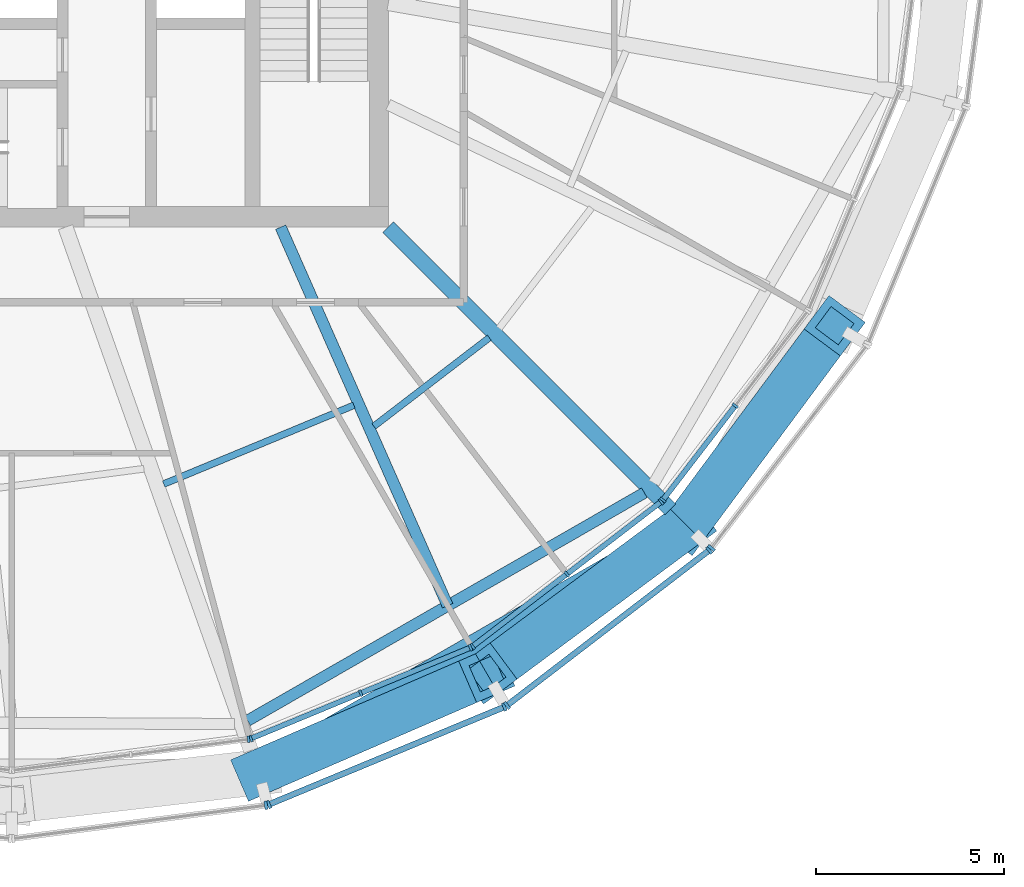
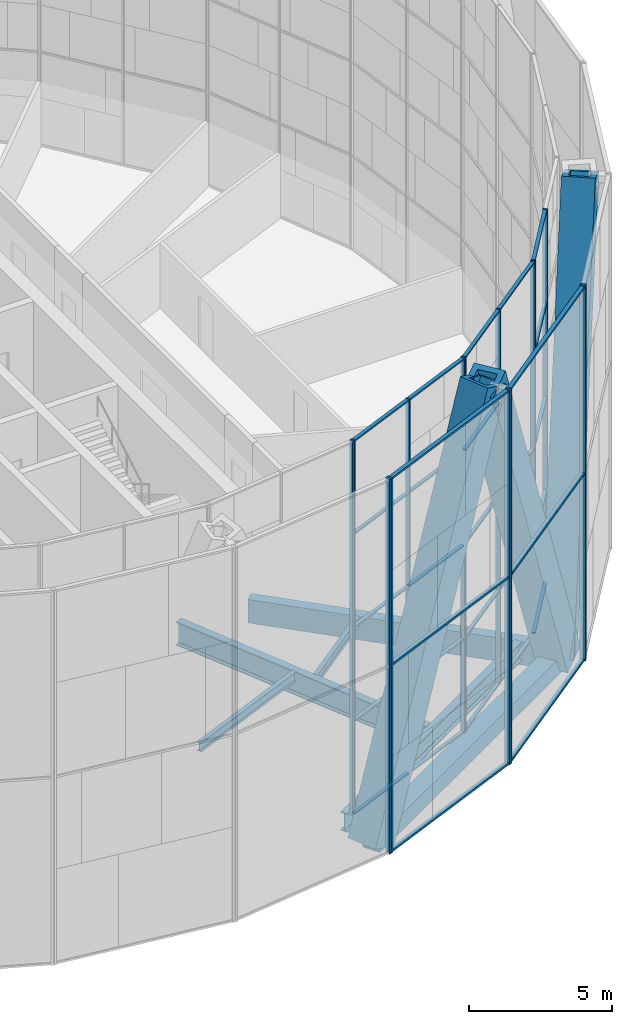
# One storey, part 5 of 28: 49 members, 6 beams, 8 elements without a shape of their own.
"""IFC4 building model written with IfcOpenShell, lengths in metres."""

import ifcopenshell
import ifcopenshell.guid

model = None  # the IFC model being written
_history = None  # IfcOwnerHistory: only IFC2X3 demands one
_inside = {}  # id of a spatial element -> (the spatial element, [elements in it])
_under = {}  # id of a project, library or spatial element -> (it, [spatial elements below it])
_declared = {}  # id of a project -> (the project, [libraries it declares])
_typed = {}  # id of a type object -> (the type object, [elements of that type])
_made_of = {}  # id of a material, layer set ... -> (it, [elements and type objects made of it])


def new_model(schema):
    """Start an empty IFC model of exactly this schema.

    Asked for "IFC4X3", IfcOpenShell would pick the latest addendum, in which some entities
    have other attributes; the version numbers below select the first issue.
    IFC2X3 requires an IfcOwnerHistory on every rooted entity: one is made here for all.
    """
    global model, _history
    if schema == "IFC4X3":
        model = ifcopenshell.file(schema_version=(4, 3, 0, 0))
    else:
        model = ifcopenshell.file(schema=schema)
    _inside.clear()
    _under.clear()
    _declared.clear()
    _typed.clear()
    _made_of.clear()
    _history = None
    if model.schema == "IFC2X3":
        org = make("IfcOrganization", Name="unknown")
        user = make(
            "IfcPersonAndOrganization",
            ThePerson=make("IfcPerson", FamilyName="unknown"),
            TheOrganization=org,
        )
        app = make(
            "IfcApplication",
            ApplicationDeveloper=org,
            Version="unknown",
            ApplicationFullName="unknown",
            ApplicationIdentifier="unknown",
        )
        _history = make(
            "IfcOwnerHistory",
            OwningUser=user,
            OwningApplication=app,
            ChangeAction="ADDED",
            CreationDate=0,
        )
    return model


def make(cls, **values):
    """One entity of the class cls with the attributes given. An attribute that is None is left unset."""
    return model.create_entity(
        cls, **{name: value for name, value in values.items() if value is not None}
    )


def rooted(cls, **values):
    """An entity with a GlobalId (a new one), such as an element, a storey or a relation."""
    return make(cls, GlobalId=ifcopenshell.guid.new(), OwnerHistory=_history, **values)


def si_unit(unit_type, name, prefix=None):
    """IfcSIUnit, for example si_unit("LENGTHUNIT", "METRE", prefix="MILLI")."""
    return make("IfcSIUnit", UnitType=unit_type, Prefix=prefix, Name=name)


def assignment(units):
    """IfcUnitAssignment: the units of a project."""
    return None if units is None else make("IfcUnitAssignment", Units=units)


def point(xyz):
    """IfcCartesianPoint."""
    return None if xyz is None else make("IfcCartesianPoint", Coordinates=xyz)


def direction(xyz):
    """IfcDirection."""
    return None if xyz is None else make("IfcDirection", DirectionRatios=xyz)


def frame(location, z_axis=None, x_axis=None):
    """IfcAxis2Placement3D, a coordinate frame: its origin and axes. An axis left out is left unset."""
    return make(
        "IfcAxis2Placement3D",
        Location=point(location),
        Axis=direction(z_axis),
        RefDirection=direction(x_axis),
    )


def frame_2d(location, x_axis=None):
    """IfcAxis2Placement2D, a coordinate frame in the plane: its origin and x axis."""
    return make(
        "IfcAxis2Placement2D", Location=point(location), RefDirection=direction(x_axis)
    )


def origin():
    """The frame at (0, 0, 0) with its axes left unset."""
    return frame((0.0, 0.0, 0.0))


def origin_2d():
    """The frame at (0, 0) in the plane with its x axis left unset."""
    return frame_2d((0.0, 0.0))


def place(relative_to, where):
    """IfcLocalPlacement: puts the frame where relative to a parent placement (None: the world)."""
    return make(
        "IfcLocalPlacement", PlacementRelTo=relative_to, RelativePlacement=where
    )


def context(
    kind, dimensions, precision=None, world=None, true_north=None, identifier=None
):
    """IfcGeometricRepresentationContext, for example the 3D "Model" context."""
    return make(
        "IfcGeometricRepresentationContext",
        ContextIdentifier=identifier,
        ContextType=kind,
        CoordinateSpaceDimension=dimensions,
        Precision=precision,
        WorldCoordinateSystem=world,
        TrueNorth=true_north,
    )


def subcontext(parent, identifier, kind, view, scale=None):
    """IfcGeometricRepresentationSubContext, for example "Body" below "Model"."""
    return make(
        "IfcGeometricRepresentationSubContext",
        ContextIdentifier=identifier,
        ContextType=kind,
        ParentContext=parent,
        TargetScale=scale,
        TargetView=view,
    )


def project(units=None, contexts=None):
    """IfcProject with its units and contexts."""
    return rooted(
        "IfcProject",
        Name="project",
        RepresentationContexts=contexts,
        UnitsInContext=assignment(units),
    )


def spatial(cls, under=None, at=None, **own):
    """A site, building, storey or space (cls), placed at a placement, below another one or the project."""
    s = rooted(cls, ObjectPlacement=at, **own)
    if under is not None:
        _under.setdefault(under.id(), (under, []))[1].append(s)
    return s


def profile(cls, at=None, kind="AREA", **sizes):
    """A parametric profile (cls). Its sizes go by their IFC names, for example OverallWidth=200.0."""
    return make(cls, ProfileType=kind, Position=at, **sizes)


def rectangle(**sizes):
    """IfcRectangleProfileDef."""
    return profile("IfcRectangleProfileDef", **sizes)


def hollow_rectangle(**sizes):
    """IfcRectangleHollowProfileDef."""
    return profile("IfcRectangleHollowProfileDef", **sizes)


def i_section(**sizes):
    """IfcIShapeProfileDef."""
    return profile("IfcIShapeProfileDef", **sizes)


def extrude(swept, where, along, depth):
    """IfcExtrudedAreaSolid: the profile swept, set in the frame where, extruded along a direction by depth."""
    return make(
        "IfcExtrudedAreaSolid",
        SweptArea=swept,
        Position=where,
        ExtrudedDirection=direction(along),
        Depth=depth,
    )


def shape(context_of_items, identifier, shape_type, items):
    """IfcShapeRepresentation: the items that make up one representation, for example the "Body"."""
    return make(
        "IfcShapeRepresentation",
        ContextOfItems=context_of_items,
        RepresentationIdentifier=identifier,
        RepresentationType=shape_type,
        Items=items,
    )


def material(Name=None, Category=None):
    """IfcMaterial."""
    return make("IfcMaterial", Name=Name, Category=Category)


def material_profile(
    of_material, cross_section, Name=None, Category=None, Priority=None
):
    """IfcMaterialProfile: a cross section and its material."""
    return make(
        "IfcMaterialProfile",
        Name=Name,
        Material=of_material,
        Profile=cross_section,
        Priority=Priority,
        Category=Category,
    )


def profile_set(profiles, Name=None, composite=None):
    """IfcMaterialProfileSet."""
    return make(
        "IfcMaterialProfileSet",
        Name=Name,
        MaterialProfiles=profiles,
        CompositeProfile=composite,
    )


def made_of(thing, what):
    """Note that an element or type object is made of a material, layer set ...; save() writes the relation."""
    if what is not None:
        _made_of.setdefault(what.id(), (what, []))[1].append(thing)
    return thing


def type_object(cls, material=None, **own):
    """A type object (cls), such as IfcWallType, which elements share."""
    return made_of(rooted(cls, **own), material)


def element(
    cls,
    number,
    at=None,
    inside=None,
    cuts=None,
    type_object=None,
    material=None,
    context=None,
    identifier="Body",
    shape_type=None,
    held_by="IfcProductDefinitionShape",
    body=None,
    shapes=None,
    **own,
):
    """One element of the class cls, such as IfcWall. Its Tag is "e" and its number.

    at: its placement. inside: the storey or other place that contains it. cuts: it is an
    opening in that element (IfcRelVoidsElement). A single representation is given by context,
    identifier, shape_type and body (its items); several are given by shapes. held_by: the class
    of the entity that holds the representations. save() writes the other relations.
    """
    e = rooted(cls, Tag="e%d" % number, ObjectPlacement=at, **own)
    if body is not None:
        shapes = [shape(context, identifier, shape_type, body)]
    if shapes is not None:
        e.Representation = make(held_by, Representations=shapes)
    if inside is not None:
        _inside.setdefault(inside.id(), (inside, []))[1].append(e)
    if cuts is not None:
        rooted(
            "IfcRelVoidsElement", RelatingBuildingElement=cuts, RelatedOpeningElement=e
        )
    if type_object is not None:
        _typed.setdefault(type_object.id(), (type_object, []))[1].append(e)
    return made_of(e, material)


def aggregate(whole, parts):
    """IfcRelAggregates: a whole, such as a stair, and the parts it consists of."""
    return rooted("IfcRelAggregates", RelatingObject=whole, RelatedObjects=parts)


def save(model, path):
    """Write the relations noted so far, then the file.

    IfcRelAggregates (storeys below a building ...), IfcRelContainedInSpatialStructure (elements
    in a storey), IfcRelDefinesByType, IfcRelAssociatesMaterial and IfcRelDeclares: one each for
    every whole, place, type object, material and project.
    """
    for whole, parts in _under.values():
        aggregate(whole, parts)
    for where, things in _inside.values():
        rooted(
            "IfcRelContainedInSpatialStructure",
            RelatedElements=things,
            RelatingStructure=where,
        )
    for kind, things in _typed.values():
        rooted("IfcRelDefinesByType", RelatedObjects=things, RelatingType=kind)
    for what, things in _made_of.values():
        rooted("IfcRelAssociatesMaterial", RelatedObjects=things, RelatingMaterial=what)
    for by, libraries in _declared.values():
        rooted("IfcRelDeclares", RelatingContext=by, RelatedDefinitions=libraries)
    model.write(path)


model = new_model("IFC4")

# Units and contexts
model_context = context("Model", 3, precision=1e-05, world=origin(), true_north=direction((0.0, 1.0)))
body_context = subcontext(model_context, "Body", "Model", "MODEL_VIEW")
ifc_project = project(units=[si_unit("LENGTHUNIT", "METRE"), si_unit("AREAUNIT", "SQUARE_METRE"), si_unit("VOLUMEUNIT", "CUBIC_METRE"), si_unit("PLANEANGLEUNIT", "RADIAN"), si_unit("MASSUNIT", "GRAM", prefix="KILO")], contexts=[model_context])

# Site, building, storey
site_placement = place(None, origin())
site = spatial("IfcSite", under=ifc_project, at=site_placement, CompositionType="ELEMENT")
building_placement = place(site_placement, origin())
building = spatial("IfcBuilding", under=site, at=building_placement, Name="Golbaran Civic Tower", CompositionType="ELEMENT")
storey_placement = place(building_placement, frame((0.0, 0.0, 134.0)))
storey = spatial("IfcBuildingStorey", under=building, at=storey_placement, Name="L32", CompositionType="ELEMENT", Elevation=134.0)

# Members
ifc_material_1 = material(Name="Steel S355", Category="steel")
ifc_material_profile_1 = material_profile(ifc_material_1, hollow_rectangle(XDim=1.199951171875, YDim=1.199951171875, WallThickness=0.219970703125, at=origin_2d()), Name="BOX 1200x1200x220")
ifc_profile_set_1 = profile_set([ifc_material_profile_1], Name="Steel S355")
member_type_1 = type_object("IfcMemberType", Name="DIAGRID DIAGONAL BOX 1200x1200x220", PredefinedType="BRACE", material=ifc_profile_set_1)
for number, where, z_axis, x_axis, name in (
    (1, (6.55859375, -24.4765625, -0.7099609375), (0.350021010135, 0.151560578437, 0.924399634102), (-0.397353161289, 0.917665769882, 0.0), "Diagonal D07-09R L32-L36"),
    (2, (17.91796875, -17.91796875, -0.7099609375), (0.227361182302, 0.306265484914, 0.924396205927), (-0.802932458843, 0.59607001815, 0.0), "Diagonal D07-10R L32-L36"),
    (3, (17.91796875, -17.91796875, -0.7099609375), (-0.306265484914, -0.227361182302, 0.924396205927), (0.59607001815, -0.802932458843, 0.0), "Diagonal D07-10L L32-L36"),
):
    element("IfcMember", number, at=place(storey_placement, frame(where, z_axis=z_axis, x_axis=x_axis)), inside=storey, type_object=member_type_1, Name=name, PredefinedType="BRACE", context=body_context, shape_type="SweptSolid", body=[
        extrude(hollow_rectangle(XDim=1.199951171875, YDim=1.199951171875, WallThickness=0.219970703125, at=origin_2d()), origin(), (0.0, 0.0, 1.0), 17.30859375),
    ])

# Beams
ifc_material_profile_2 = material_profile(ifc_material_1, hollow_rectangle(XDim=0.699951171875, YDim=0.699951171875, WallThickness=0.080078125, at=origin_2d()), Name="BOX 700x700x80")
ifc_profile_set_2 = profile_set([ifc_material_profile_2], Name="Steel S355")
beam_type_1 = type_object("IfcBeamType", Name="DIAGRID RING TIE BOX 700x700x80", PredefinedType="BEAM", material=ifc_profile_set_2)
beam_1_placement = place(storey_placement, frame((6.55859375, -24.4765625, -0.7099609375), z_axis=(0.866016967894, 0.500014611105, 0.0), x_axis=(-0.500014611105, 0.866016967894, 0.0)))
element("IfcBeam", 4, at=beam_1_placement, inside=storey, type_object=beam_type_1, Name="Ring tie 285.00 L32", PredefinedType="BEAM", context=body_context, shape_type="SweptSolid", body=[
    extrude(hollow_rectangle(XDim=0.699951171875, YDim=0.699951171875, WallThickness=0.080078125, at=origin_2d()), origin(), (0.0, 0.0, 1.0), 13.11669921875),
])
ifc_material_profile_3 = material_profile(ifc_material_1, i_section(OverallWidth=0.300048828125, OverallDepth=0.800048828125, WebThickness=0.017578125, FlangeThickness=0.032958984375, FilletRadius=0.030029296875, at=origin_2d()), Name="HEB 800")
ifc_profile_set_3 = profile_set([ifc_material_profile_3], Name="Steel S355")
beam_type_2 = type_object("IfcBeamType", Name="EDGE BEAM HEB 800", PredefinedType="BEAM", material=ifc_profile_set_3)
beam_2_placement = place(storey_placement, frame((6.263427734375, -23.10498046875, -0.60009765625), z_axis=(0.867136748717, 0.498070134644, 0.0), x_axis=(-0.498070134644, 0.867136748717, 0.0)))
element("IfcBeam", 5, at=beam_2_placement, inside=storey, type_object=beam_type_2, Name="Edge beam 285.00 L32", PredefinedType="BEAM", context=body_context, shape_type="SweptSolid", body=[
    extrude(i_section(OverallWidth=0.300048828125, OverallDepth=0.800048828125, WebThickness=0.017578125, FlangeThickness=0.032958984375, FilletRadius=0.030029296875, at=origin_2d()), origin(), (0.0, 0.0, 1.0), 12.14990234375),
])
ifc_material_profile_4 = material_profile(ifc_material_1, i_section(OverallWidth=0.179931640625, OverallDepth=0.39990234375, WebThickness=0.008544921875, FlangeThickness=0.013427734375, FilletRadius=0.02099609375, at=origin_2d()), Name="IPE 400")
ifc_profile_set_4 = profile_set([ifc_material_profile_4], Name="Steel S355")
beam_type_3 = type_object("IfcBeamType", Name="FLOOR INFILL BEAM IPE 400", PredefinedType="BEAM", material=ifc_profile_set_4)
beam_3_placement = place(storey_placement, frame((4.036865234375, -16.821533203125, -0.39990234375), z_axis=(0.923870401545, 0.382705475725, 0.0), x_axis=(-0.382705475725, 0.923870401545, 0.0)))
element("IfcBeam", 6, at=beam_3_placement, inside=storey, type_object=beam_type_3, Name="Infill beam 292.50 L32", PredefinedType="BEAM", context=body_context, shape_type="SweptSolid", body=[
    extrude(i_section(OverallWidth=0.179931640625, OverallDepth=0.39990234375, WebThickness=0.008544921875, FlangeThickness=0.013427734375, FilletRadius=0.02099609375, at=origin_2d()), origin(), (0.0, 0.0, 1.0), 5.466552734375),
])
beam_4_placement = place(storey_placement, frame((9.617431640625, -15.28759765625, -0.39990234375), z_axis=(0.793344823717, 0.608772527864, 0.0), x_axis=(-0.608772527864, 0.793344823717, 0.0)))
element("IfcBeam", 7, at=beam_4_placement, inside=storey, type_object=beam_type_3, Name="Infill beam 307.50 L32", PredefinedType="BEAM", context=body_context, shape_type="SweptSolid", body=[
    extrude(i_section(OverallWidth=0.179931640625, OverallDepth=0.39990234375, WebThickness=0.008544921875, FlangeThickness=0.013427734375, FilletRadius=0.02099609375, at=origin_2d()), origin(), (0.0, 0.0, 1.0), 3.8623046875),
])

# Curtain wall, member
ifc_material_2 = material(Name="Aluminium and glass", Category="aluminium")
curtain_wall_type_1 = type_object("IfcCurtainWallType", Name="INNER SKIN CURTAIN WALL", PredefinedType="NOTDEFINED", material=ifc_material_2)
curtain_wall_1_placement = place(storey_placement, origin())
curtain_wall_1 = element("IfcCurtainWall", 8, at=curtain_wall_1_placement, inside=storey, type_object=curtain_wall_type_1, Name="Inner skin L32 facet 19 CW1", ObjectType="INNER SKIN", PredefinedType="USERDEFINED")
ifc_material_3 = material(Name="Aluminium", Category="aluminium")
ifc_material_profile_5 = material_profile(ifc_material_3, rectangle(XDim=0.179931640625, YDim=0.06494140625, at=origin_2d()), Name="INNER SKIN CURTAIN WALL MULLION")
ifc_profile_set_5 = profile_set([ifc_material_profile_5], Name="Aluminium")
member_type_2 = type_object("IfcMemberType", Name="INNER SKIN CURTAIN WALL MULLION", PredefinedType="MULLION", material=ifc_profile_set_5)
member_1_placement = place(storey_placement, frame((6.28955078125, -23.596923828125, 0.0), z_axis=(0.0, 0.0, 1.0), x_axis=(-0.130526192237, 0.991444861372, 0.0)))
member_1 = element("IfcMember", 9, at=member_1_placement, type_object=member_type_2, Name="CW1 mullion 3", PredefinedType="MULLION", context=body_context, shape_type="SweptSolid", body=[
    extrude(rectangle(XDim=0.179931640625, YDim=0.06494140625, at=origin_2d()), origin(), (0.0, 0.0, 1.0), 16.0),
])
aggregate(curtain_wall_1, [member_1])

# Curtain wall, members
curtain_wall_2_placement = place(storey_placement, origin())
curtain_wall_2 = element("IfcCurtainWall", 10, at=curtain_wall_2_placement, inside=storey, type_object=curtain_wall_type_1, Name="Inner skin L32 facet 20 CW1", ObjectType="INNER SKIN", PredefinedType="USERDEFINED")
member_2_placement = place(storey_placement, frame((6.3515625, -23.580322265625, 0.0), z_axis=(0.0, 0.0, 1.0), x_axis=(-0.38268343243, 0.923879532485, 0.0)))
member_2 = element("IfcMember", 11, at=member_2_placement, type_object=member_type_2, Name="CW1 mullion 1", PredefinedType="MULLION", context=body_context, shape_type="SweptSolid", body=[
    extrude(rectangle(XDim=0.179931640625, YDim=0.06494140625, at=origin_2d()), origin(), (0.0, 0.0, 1.0), 16.0),
])
member_3_placement = place(storey_placement, frame((9.26708984375, -22.372802734375, 0.0), z_axis=(0.0, 0.0, 1.0), x_axis=(-0.38268343243, 0.923879532485, 0.0)))
member_3 = element("IfcMember", 12, at=member_3_placement, type_object=member_type_2, Name="CW1 mullion 2", PredefinedType="MULLION", context=body_context, shape_type="SweptSolid", body=[
    extrude(rectangle(XDim=0.179931640625, YDim=0.06494140625, at=origin_2d()), origin(), (0.0, 0.0, 1.0), 16.0),
])
member_4_placement = place(storey_placement, frame((12.182373046875, -21.1650390625, 0.0), z_axis=(0.0, 0.0, 1.0), x_axis=(-0.38268343243, 0.923879532485, 0.0)))
member_4 = element("IfcMember", 13, at=member_4_placement, type_object=member_type_2, Name="CW1 mullion 3", PredefinedType="MULLION", context=body_context, shape_type="SweptSolid", body=[
    extrude(rectangle(XDim=0.179931640625, YDim=0.06494140625, at=origin_2d()), origin(), (0.0, 0.0, 1.0), 16.0),
])

curtain_wall_3_placement = place(storey_placement, origin())
curtain_wall_3 = element("IfcCurtainWall", 14, at=curtain_wall_3_placement, inside=storey, type_object=curtain_wall_type_1, Name="Inner skin L32 facet 21 CW1", ObjectType="INNER SKIN", PredefinedType="USERDEFINED")
member_5_placement = place(storey_placement, frame((12.23828125, -21.1328125, 0.0), z_axis=(0.0, 0.0, 1.0), x_axis=(-0.60876142905, 0.793353340259, 0.0)))
member_5 = element("IfcMember", 15, at=member_5_placement, type_object=member_type_2, Name="CW1 mullion 1", PredefinedType="MULLION", context=body_context, shape_type="SweptSolid", body=[
    extrude(rectangle(XDim=0.179931640625, YDim=0.06494140625, at=origin_2d()), origin(), (0.0, 0.0, 1.0), 16.0),
])
member_6_placement = place(storey_placement, frame((14.74169921875, -19.2119140625, 0.0), z_axis=(0.0, 0.0, 1.0), x_axis=(-0.60876142905, 0.793353340259, 0.0)))
member_6 = element("IfcMember", 16, at=member_6_placement, type_object=member_type_2, Name="CW1 mullion 2", PredefinedType="MULLION", context=body_context, shape_type="SweptSolid", body=[
    extrude(rectangle(XDim=0.179931640625, YDim=0.06494140625, at=origin_2d()), origin(), (0.0, 0.0, 1.0), 16.0),
])
member_7_placement = place(storey_placement, frame((17.245361328125, -17.290771484375, 0.0), z_axis=(0.0, 0.0, 1.0), x_axis=(-0.60876142905, 0.793353340259, 0.0)))
member_7 = element("IfcMember", 17, at=member_7_placement, type_object=member_type_2, Name="CW1 mullion 3", PredefinedType="MULLION", context=body_context, shape_type="SweptSolid", body=[
    extrude(rectangle(XDim=0.179931640625, YDim=0.06494140625, at=origin_2d()), origin(), (0.0, 0.0, 1.0), 16.0),
])

curtain_wall_4_placement = place(storey_placement, origin())
curtain_wall_4 = element("IfcCurtainWall", 18, at=curtain_wall_4_placement, inside=storey, type_object=curtain_wall_type_1, Name="Inner skin L32 facet 22 CW1", ObjectType="INNER SKIN", PredefinedType="USERDEFINED")
member_8_placement = place(storey_placement, frame((17.290771484375, -17.245361328125, 0.0), z_axis=(0.0, 0.0, 1.0), x_axis=(-0.793353340259, 0.60876142905, 0.0)))
member_8 = element("IfcMember", 19, at=member_8_placement, type_object=member_type_2, Name="CW1 mullion 1", PredefinedType="MULLION", context=body_context, shape_type="SweptSolid", body=[
    extrude(rectangle(XDim=0.179931640625, YDim=0.06494140625, at=origin_2d()), origin(), (0.0, 0.0, 1.0), 16.0),
])
member_9_placement = place(storey_placement, frame((19.2119140625, -14.74169921875, 0.0), z_axis=(0.0, 0.0, 1.0), x_axis=(-0.793353340259, 0.60876142905, 0.0)))
member_9 = element("IfcMember", 20, at=member_9_placement, type_object=member_type_2, Name="CW1 mullion 2", PredefinedType="MULLION", context=body_context, shape_type="SweptSolid", body=[
    extrude(rectangle(XDim=0.179931640625, YDim=0.06494140625, at=origin_2d()), origin(), (0.0, 0.0, 1.0), 16.0),
])

# Member
ifc_material_profile_6 = material_profile(ifc_material_3, rectangle(XDim=0.139892578125, YDim=0.06494140625, at=origin_2d()), Name="INNER SKIN CURTAIN WALL TRANSOM")
ifc_profile_set_6 = profile_set([ifc_material_profile_6], Name="Aluminium")
member_type_3 = type_object("IfcMemberType", Name="INNER SKIN CURTAIN WALL TRANSOM", PredefinedType="USERDEFINED", material=ifc_profile_set_6)
member_10_placement = place(storey_placement, frame((6.381591796875, -23.56787109375, 0.032470703125), z_axis=(0.923897456466, 0.382640157244, 0.0), x_axis=(-0.382640157244, 0.923897456466, 0.0)))
member_10 = element("IfcMember", 21, at=member_10_placement, type_object=member_type_3, Name="CW1 transom 1.1", ObjectType="TRANSOM", PredefinedType="USERDEFINED", context=body_context, shape_type="SweptSolid", body=[
    extrude(rectangle(XDim=0.139892578125, YDim=0.06494140625, at=origin_2d()), origin(), (0.0, 0.0, 1.0), 3.090576171875),
])

member_11_placement = place(storey_placement, frame((6.381591796875, -23.56787109375, 4.0), z_axis=(0.923897456466, 0.382640157244, 0.0), x_axis=(-0.382640157244, 0.923897456466, 0.0)))
member_11 = element("IfcMember", 22, at=member_11_placement, type_object=member_type_3, Name="CW1 transom 1.2", ObjectType="TRANSOM", PredefinedType="USERDEFINED", context=body_context, shape_type="SweptSolid", body=[
    extrude(rectangle(XDim=0.139892578125, YDim=0.06494140625, at=origin_2d()), origin(), (0.0, 0.0, 1.0), 3.090576171875),
])

member_12_placement = place(storey_placement, frame((6.381591796875, -23.56787109375, 8.0), z_axis=(0.923897456466, 0.382640157244, 0.0), x_axis=(-0.382640157244, 0.923897456466, 0.0)))
member_12 = element("IfcMember", 23, at=member_12_placement, type_object=member_type_3, Name="CW1 transom 1.3", ObjectType="TRANSOM", PredefinedType="USERDEFINED", context=body_context, shape_type="SweptSolid", body=[
    extrude(rectangle(XDim=0.139892578125, YDim=0.06494140625, at=origin_2d()), origin(), (0.0, 0.0, 1.0), 3.090576171875),
])

member_13_placement = place(storey_placement, frame((6.381591796875, -23.56787109375, 12.0), z_axis=(0.923897456466, 0.382640157244, 0.0), x_axis=(-0.382640157244, 0.923897456466, 0.0)))
member_13 = element("IfcMember", 24, at=member_13_placement, type_object=member_type_3, Name="CW1 transom 1.4", ObjectType="TRANSOM", PredefinedType="USERDEFINED", context=body_context, shape_type="SweptSolid", body=[
    extrude(rectangle(XDim=0.139892578125, YDim=0.06494140625, at=origin_2d()), origin(), (0.0, 0.0, 1.0), 3.090576171875),
])

member_14_placement = place(storey_placement, frame((6.381591796875, -23.56787109375, 15.967529296875), z_axis=(0.923897456466, 0.382640157244, 0.0), x_axis=(-0.382640157244, 0.923897456466, 0.0)))
member_14 = element("IfcMember", 25, at=member_14_placement, type_object=member_type_3, Name="CW1 transom 1.5", ObjectType="TRANSOM", PredefinedType="USERDEFINED", context=body_context, shape_type="SweptSolid", body=[
    extrude(rectangle(XDim=0.139892578125, YDim=0.06494140625, at=origin_2d()), origin(), (0.0, 0.0, 1.0), 3.090576171875),
])

member_15_placement = place(storey_placement, frame((9.297119140625, -22.3603515625, 0.032470703125), z_axis=(0.923857958789, 0.382735511786, 0.0), x_axis=(-0.382735511786, 0.923857958789, 0.0)))
member_15 = element("IfcMember", 26, at=member_15_placement, type_object=member_type_3, Name="CW1 transom 2.1", ObjectType="TRANSOM", PredefinedType="USERDEFINED", context=body_context, shape_type="SweptSolid", body=[
    extrude(rectangle(XDim=0.139892578125, YDim=0.06494140625, at=origin_2d()), origin(), (0.0, 0.0, 1.0), 3.090576171875),
])

member_16_placement = place(storey_placement, frame((9.297119140625, -22.3603515625, 4.0), z_axis=(0.923857958789, 0.382735511786, 0.0), x_axis=(-0.382735511786, 0.923857958789, 0.0)))
member_16 = element("IfcMember", 27, at=member_16_placement, type_object=member_type_3, Name="CW1 transom 2.2", ObjectType="TRANSOM", PredefinedType="USERDEFINED", context=body_context, shape_type="SweptSolid", body=[
    extrude(rectangle(XDim=0.139892578125, YDim=0.06494140625, at=origin_2d()), origin(), (0.0, 0.0, 1.0), 3.090576171875),
])

member_17_placement = place(storey_placement, frame((9.297119140625, -22.3603515625, 8.0), z_axis=(0.923857958789, 0.382735511786, 0.0), x_axis=(-0.382735511786, 0.923857958789, 0.0)))
member_17 = element("IfcMember", 28, at=member_17_placement, type_object=member_type_3, Name="CW1 transom 2.3", ObjectType="TRANSOM", PredefinedType="USERDEFINED", context=body_context, shape_type="SweptSolid", body=[
    extrude(rectangle(XDim=0.139892578125, YDim=0.06494140625, at=origin_2d()), origin(), (0.0, 0.0, 1.0), 3.090576171875),
])

member_18_placement = place(storey_placement, frame((9.297119140625, -22.3603515625, 12.0), z_axis=(0.923857958789, 0.382735511786, 0.0), x_axis=(-0.382735511786, 0.923857958789, 0.0)))
member_18 = element("IfcMember", 29, at=member_18_placement, type_object=member_type_3, Name="CW1 transom 2.4", ObjectType="TRANSOM", PredefinedType="USERDEFINED", context=body_context, shape_type="SweptSolid", body=[
    extrude(rectangle(XDim=0.139892578125, YDim=0.06494140625, at=origin_2d()), origin(), (0.0, 0.0, 1.0), 3.090576171875),
])

member_19_placement = place(storey_placement, frame((9.297119140625, -22.3603515625, 15.967529296875), z_axis=(0.923857958789, 0.382735511786, 0.0), x_axis=(-0.382735511786, 0.923857958789, 0.0)))
member_19 = element("IfcMember", 30, at=member_19_placement, type_object=member_type_3, Name="CW1 transom 2.5", ObjectType="TRANSOM", PredefinedType="USERDEFINED", context=body_context, shape_type="SweptSolid", body=[
    extrude(rectangle(XDim=0.139892578125, YDim=0.06494140625, at=origin_2d()), origin(), (0.0, 0.0, 1.0), 3.090576171875),
])

aggregate(curtain_wall_2, [member_2, member_3, member_4, member_10, member_11, member_12, member_13, member_14, member_15, member_16, member_17, member_18, member_19])

member_20_placement = place(storey_placement, frame((12.26416015625, -21.113037109375, 0.032470703125), z_axis=(0.793363448304, 0.608748255763, 0.0), x_axis=(-0.608748255763, 0.793363448304, 0.0)))
member_20 = element("IfcMember", 31, at=member_20_placement, type_object=member_type_3, Name="CW1 transom 1.1", ObjectType="TRANSOM", PredefinedType="USERDEFINED", context=body_context, shape_type="SweptSolid", body=[
    extrude(rectangle(XDim=0.139892578125, YDim=0.06494140625, at=origin_2d()), origin(), (0.0, 0.0, 1.0), 3.090576171875),
])

member_21_placement = place(storey_placement, frame((12.26416015625, -21.113037109375, 4.0), z_axis=(0.793363448304, 0.608748255763, 0.0), x_axis=(-0.608748255763, 0.793363448304, 0.0)))
member_21 = element("IfcMember", 32, at=member_21_placement, type_object=member_type_3, Name="CW1 transom 1.2", ObjectType="TRANSOM", PredefinedType="USERDEFINED", context=body_context, shape_type="SweptSolid", body=[
    extrude(rectangle(XDim=0.139892578125, YDim=0.06494140625, at=origin_2d()), origin(), (0.0, 0.0, 1.0), 3.090576171875),
])

member_22_placement = place(storey_placement, frame((12.26416015625, -21.113037109375, 8.0), z_axis=(0.793363448304, 0.608748255763, 0.0), x_axis=(-0.608748255763, 0.793363448304, 0.0)))
member_22 = element("IfcMember", 33, at=member_22_placement, type_object=member_type_3, Name="CW1 transom 1.3", ObjectType="TRANSOM", PredefinedType="USERDEFINED", context=body_context, shape_type="SweptSolid", body=[
    extrude(rectangle(XDim=0.139892578125, YDim=0.06494140625, at=origin_2d()), origin(), (0.0, 0.0, 1.0), 3.090576171875),
])

member_23_placement = place(storey_placement, frame((12.26416015625, -21.113037109375, 12.0), z_axis=(0.793363448304, 0.608748255763, 0.0), x_axis=(-0.608748255763, 0.793363448304, 0.0)))
member_23 = element("IfcMember", 34, at=member_23_placement, type_object=member_type_3, Name="CW1 transom 1.4", ObjectType="TRANSOM", PredefinedType="USERDEFINED", context=body_context, shape_type="SweptSolid", body=[
    extrude(rectangle(XDim=0.139892578125, YDim=0.06494140625, at=origin_2d()), origin(), (0.0, 0.0, 1.0), 3.090576171875),
])

member_24_placement = place(storey_placement, frame((12.26416015625, -21.113037109375, 15.967529296875), z_axis=(0.793363448304, 0.608748255763, 0.0), x_axis=(-0.608748255763, 0.793363448304, 0.0)))
member_24 = element("IfcMember", 35, at=member_24_placement, type_object=member_type_3, Name="CW1 transom 1.5", ObjectType="TRANSOM", PredefinedType="USERDEFINED", context=body_context, shape_type="SweptSolid", body=[
    extrude(rectangle(XDim=0.139892578125, YDim=0.06494140625, at=origin_2d()), origin(), (0.0, 0.0, 1.0), 3.090576171875),
])

member_25_placement = place(storey_placement, frame((14.767578125, -19.192138671875, 0.032470703125), z_axis=(0.793325296464, 0.608797974693, 0.0), x_axis=(-0.608797974693, 0.793325296464, 0.0)))
member_25 = element("IfcMember", 36, at=member_25_placement, type_object=member_type_3, Name="CW1 transom 2.1", ObjectType="TRANSOM", PredefinedType="USERDEFINED", context=body_context, shape_type="SweptSolid", body=[
    extrude(rectangle(XDim=0.139892578125, YDim=0.06494140625, at=origin_2d()), origin(), (0.0, 0.0, 1.0), 3.090576171875),
])

member_26_placement = place(storey_placement, frame((14.767578125, -19.192138671875, 4.0), z_axis=(0.793325296464, 0.608797974693, 0.0), x_axis=(-0.608797974693, 0.793325296464, 0.0)))
member_26 = element("IfcMember", 37, at=member_26_placement, type_object=member_type_3, Name="CW1 transom 2.2", ObjectType="TRANSOM", PredefinedType="USERDEFINED", context=body_context, shape_type="SweptSolid", body=[
    extrude(rectangle(XDim=0.139892578125, YDim=0.06494140625, at=origin_2d()), origin(), (0.0, 0.0, 1.0), 3.090576171875),
])

member_27_placement = place(storey_placement, frame((14.767578125, -19.192138671875, 8.0), z_axis=(0.793325296464, 0.608797974693, 0.0), x_axis=(-0.608797974693, 0.793325296464, 0.0)))
member_27 = element("IfcMember", 38, at=member_27_placement, type_object=member_type_3, Name="CW1 transom 2.3", ObjectType="TRANSOM", PredefinedType="USERDEFINED", context=body_context, shape_type="SweptSolid", body=[
    extrude(rectangle(XDim=0.139892578125, YDim=0.06494140625, at=origin_2d()), origin(), (0.0, 0.0, 1.0), 3.090576171875),
])

member_28_placement = place(storey_placement, frame((14.767578125, -19.192138671875, 12.0), z_axis=(0.793325296464, 0.608797974693, 0.0), x_axis=(-0.608797974693, 0.793325296464, 0.0)))
member_28 = element("IfcMember", 39, at=member_28_placement, type_object=member_type_3, Name="CW1 transom 2.4", ObjectType="TRANSOM", PredefinedType="USERDEFINED", context=body_context, shape_type="SweptSolid", body=[
    extrude(rectangle(XDim=0.139892578125, YDim=0.06494140625, at=origin_2d()), origin(), (0.0, 0.0, 1.0), 3.090576171875),
])

member_29_placement = place(storey_placement, frame((14.767578125, -19.192138671875, 15.967529296875), z_axis=(0.793325296464, 0.608797974693, 0.0), x_axis=(-0.608797974693, 0.793325296464, 0.0)))
member_29 = element("IfcMember", 40, at=member_29_placement, type_object=member_type_3, Name="CW1 transom 2.5", ObjectType="TRANSOM", PredefinedType="USERDEFINED", context=body_context, shape_type="SweptSolid", body=[
    extrude(rectangle(XDim=0.139892578125, YDim=0.06494140625, at=origin_2d()), origin(), (0.0, 0.0, 1.0), 3.090576171875),
])

aggregate(curtain_wall_3, [member_5, member_6, member_7, member_20, member_21, member_22, member_23, member_24, member_25, member_26, member_27, member_28, member_29])

member_30_placement = place(storey_placement, frame((17.310546875, -17.219482421875, 0.032470703125), z_axis=(0.608797974693, 0.793325296464, 0.0), x_axis=(-0.793325296464, 0.608797974693, 0.0)))
member_30 = element("IfcMember", 41, at=member_30_placement, type_object=member_type_3, Name="CW1 transom 1.1", ObjectType="TRANSOM", PredefinedType="USERDEFINED", context=body_context, shape_type="SweptSolid", body=[
    extrude(rectangle(XDim=0.139892578125, YDim=0.06494140625, at=origin_2d()), origin(), (0.0, 0.0, 1.0), 3.090576171875),
])

member_31_placement = place(storey_placement, frame((17.310546875, -17.219482421875, 4.0), z_axis=(0.608797974693, 0.793325296464, 0.0), x_axis=(-0.793325296464, 0.608797974693, 0.0)))
member_31 = element("IfcMember", 42, at=member_31_placement, type_object=member_type_3, Name="CW1 transom 1.2", ObjectType="TRANSOM", PredefinedType="USERDEFINED", context=body_context, shape_type="SweptSolid", body=[
    extrude(rectangle(XDim=0.139892578125, YDim=0.06494140625, at=origin_2d()), origin(), (0.0, 0.0, 1.0), 3.090576171875),
])

member_32_placement = place(storey_placement, frame((17.310546875, -17.219482421875, 8.0), z_axis=(0.608797974693, 0.793325296464, 0.0), x_axis=(-0.793325296464, 0.608797974693, 0.0)))
member_32 = element("IfcMember", 43, at=member_32_placement, type_object=member_type_3, Name="CW1 transom 1.3", ObjectType="TRANSOM", PredefinedType="USERDEFINED", context=body_context, shape_type="SweptSolid", body=[
    extrude(rectangle(XDim=0.139892578125, YDim=0.06494140625, at=origin_2d()), origin(), (0.0, 0.0, 1.0), 3.090576171875),
])

member_33_placement = place(storey_placement, frame((17.310546875, -17.219482421875, 12.0), z_axis=(0.608797974693, 0.793325296464, 0.0), x_axis=(-0.793325296464, 0.608797974693, 0.0)))
member_33 = element("IfcMember", 44, at=member_33_placement, type_object=member_type_3, Name="CW1 transom 1.4", ObjectType="TRANSOM", PredefinedType="USERDEFINED", context=body_context, shape_type="SweptSolid", body=[
    extrude(rectangle(XDim=0.139892578125, YDim=0.06494140625, at=origin_2d()), origin(), (0.0, 0.0, 1.0), 3.090576171875),
])

member_34_placement = place(storey_placement, frame((17.310546875, -17.219482421875, 15.967529296875), z_axis=(0.608797974693, 0.793325296464, 0.0), x_axis=(-0.793325296464, 0.608797974693, 0.0)))
member_34 = element("IfcMember", 45, at=member_34_placement, type_object=member_type_3, Name="CW1 transom 1.5", ObjectType="TRANSOM", PredefinedType="USERDEFINED", context=body_context, shape_type="SweptSolid", body=[
    extrude(rectangle(XDim=0.139892578125, YDim=0.06494140625, at=origin_2d()), origin(), (0.0, 0.0, 1.0), 3.090576171875),
])

aggregate(curtain_wall_4, [member_8, member_9, member_30, member_31, member_32, member_33, member_34])

# Curtain wall, member
curtain_wall_type_2 = type_object("IfcCurtainWallType", Name="OUTER SKIN TERRACOTTA SCREEN", PredefinedType="NOTDEFINED", material=ifc_material_2)
curtain_wall_5_placement = place(storey_placement, origin())
curtain_wall_5 = element("IfcCurtainWall", 46, at=curtain_wall_5_placement, inside=storey, type_object=curtain_wall_type_2, Name="Outer skin L32 facet 19 CW3", ObjectType="OUTER SKIN", PredefinedType="USERDEFINED")
ifc_material_profile_7 = material_profile(ifc_material_3, rectangle(XDim=0.219970703125, YDim=0.080078125, at=origin_2d()), Name="OUTER SKIN TERRACOTTA SCREEN MULLION")
ifc_profile_set_7 = profile_set([ifc_material_profile_7], Name="Aluminium")
member_type_4 = type_object("IfcMemberType", Name="OUTER SKIN TERRACOTTA SCREEN MULLION", PredefinedType="MULLION", material=ifc_profile_set_7)
member_35_placement = place(storey_placement, frame((6.751708984375, -25.35107421875, -0.7099609375), z_axis=(0.0, 0.0, 1.0), x_axis=(-0.130526192203, 0.991444861376, 0.0)))
member_35 = element("IfcMember", 47, at=member_35_placement, type_object=member_type_4, Name="CW3 mullion 2", PredefinedType="MULLION", context=body_context, shape_type="SweptSolid", body=[
    extrude(rectangle(XDim=0.219970703125, YDim=0.080078125, at=origin_2d()), origin(), (0.0, 0.0, 1.0), 16.0),
])
aggregate(curtain_wall_5, [member_35])

# Curtain wall, members
curtain_wall_6_placement = place(storey_placement, origin())
curtain_wall_6 = element("IfcCurtainWall", 48, at=curtain_wall_6_placement, inside=storey, type_object=curtain_wall_type_2, Name="Outer skin L32 facet 20 CW3", ObjectType="OUTER SKIN", PredefinedType="USERDEFINED")
member_36_placement = place(storey_placement, frame((6.828369140625, -25.33056640625, -0.7099609375), z_axis=(0.0, 0.0, 1.0), x_axis=(-0.382683432397, 0.923879532498, 0.0)))
member_36 = element("IfcMember", 49, at=member_36_placement, type_object=member_type_4, Name="CW3 mullion 1", PredefinedType="MULLION", context=body_context, shape_type="SweptSolid", body=[
    extrude(rectangle(XDim=0.219970703125, YDim=0.080078125, at=origin_2d()), origin(), (0.0, 0.0, 1.0), 16.0),
])
member_37_placement = place(storey_placement, frame((13.0830078125, -22.73974609375, -0.7099609375), z_axis=(0.0, 0.0, 1.0), x_axis=(-0.382683432397, 0.923879532498, 0.0)))
member_37 = element("IfcMember", 50, at=member_37_placement, type_object=member_type_4, Name="CW3 mullion 2", PredefinedType="MULLION", context=body_context, shape_type="SweptSolid", body=[
    extrude(rectangle(XDim=0.219970703125, YDim=0.080078125, at=origin_2d()), origin(), (0.0, 0.0, 1.0), 16.0),
])

curtain_wall_7_placement = place(storey_placement, origin())
curtain_wall_7 = element("IfcCurtainWall", 51, at=curtain_wall_7_placement, inside=storey, type_object=curtain_wall_type_2, Name="Outer skin L32 facet 21 CW3", ObjectType="OUTER SKIN", PredefinedType="USERDEFINED")
member_38_placement = place(storey_placement, frame((13.15185546875, -22.7001953125, -0.7099609375), z_axis=(0.0, 0.0, 1.0), x_axis=(-0.608761429036, 0.79335334027, 0.0)))
member_38 = element("IfcMember", 52, at=member_38_placement, type_object=member_type_4, Name="CW3 mullion 1", PredefinedType="MULLION", context=body_context, shape_type="SweptSolid", body=[
    extrude(rectangle(XDim=0.219970703125, YDim=0.080078125, at=origin_2d()), origin(), (0.0, 0.0, 1.0), 16.0),
])
member_39_placement = place(storey_placement, frame((18.522705078125, -18.578857421875, -0.7099609375), z_axis=(0.0, 0.0, 1.0), x_axis=(-0.608761429036, 0.79335334027, 0.0)))
member_39 = element("IfcMember", 53, at=member_39_placement, type_object=member_type_4, Name="CW3 mullion 2", PredefinedType="MULLION", context=body_context, shape_type="SweptSolid", body=[
    extrude(rectangle(XDim=0.219970703125, YDim=0.080078125, at=origin_2d()), origin(), (0.0, 0.0, 1.0), 16.0),
])

# Curtain wall, member
curtain_wall_8_placement = place(storey_placement, origin())
curtain_wall_8 = element("IfcCurtainWall", 54, at=curtain_wall_8_placement, inside=storey, type_object=curtain_wall_type_2, Name="Outer skin L32 facet 22 CW3", ObjectType="OUTER SKIN", PredefinedType="USERDEFINED")
member_40_placement = place(storey_placement, frame((18.578857421875, -18.522705078125, -0.7099609375), z_axis=(0.0, 0.0, 1.0), x_axis=(-0.79335334027, 0.608761429036, 0.0)))
member_40 = element("IfcMember", 55, at=member_40_placement, type_object=member_type_4, Name="CW3 mullion 1", PredefinedType="MULLION", context=body_context, shape_type="SweptSolid", body=[
    extrude(rectangle(XDim=0.219970703125, YDim=0.080078125, at=origin_2d()), origin(), (0.0, 0.0, 1.0), 16.0),
])
aggregate(curtain_wall_8, [member_40])

# Member
ifc_material_profile_8 = material_profile(ifc_material_3, rectangle(XDim=0.159912109375, YDim=0.080078125, at=origin_2d()), Name="OUTER SKIN TERRACOTTA SCREEN TRANSOM")
ifc_profile_set_8 = profile_set([ifc_material_profile_8], Name="Aluminium")
member_type_5 = type_object("IfcMemberType", Name="OUTER SKIN TERRACOTTA SCREEN TRANSOM", PredefinedType="USERDEFINED", material=ifc_profile_set_8)
member_41_placement = place(storey_placement, frame((6.865234375, -25.315185546875, -0.669921875), z_axis=(0.923887851064, 0.382663348985, 0.0), x_axis=(-0.382663348985, 0.923887851064, 0.0)))
member_41 = element("IfcMember", 56, at=member_41_placement, type_object=member_type_5, Name="CW3 transom 1.1", ObjectType="TRANSOM", PredefinedType="USERDEFINED", context=body_context, shape_type="SweptSolid", body=[
    extrude(rectangle(XDim=0.159912109375, YDim=0.080078125, at=origin_2d()), origin(), (0.0, 0.0, 1.0), 6.690185546875),
])

member_42_placement = place(storey_placement, frame((6.865234375, -25.315185546875, 7.2900390625), z_axis=(0.923887851064, 0.382663348985, 0.0), x_axis=(-0.382663348985, 0.923887851064, 0.0)))
member_42 = element("IfcMember", 57, at=member_42_placement, type_object=member_type_5, Name="CW3 transom 1.2", ObjectType="TRANSOM", PredefinedType="USERDEFINED", context=body_context, shape_type="SweptSolid", body=[
    extrude(rectangle(XDim=0.159912109375, YDim=0.080078125, at=origin_2d()), origin(), (0.0, 0.0, 1.0), 6.690185546875),
])

member_43_placement = place(storey_placement, frame((6.865234375, -25.315185546875, 15.25), z_axis=(0.923887851064, 0.382663348985, 0.0), x_axis=(-0.382663348985, 0.923887851064, 0.0)))
member_43 = element("IfcMember", 58, at=member_43_placement, type_object=member_type_5, Name="CW3 transom 1.3", ObjectType="TRANSOM", PredefinedType="USERDEFINED", context=body_context, shape_type="SweptSolid", body=[
    extrude(rectangle(XDim=0.159912109375, YDim=0.080078125, at=origin_2d()), origin(), (0.0, 0.0, 1.0), 6.690185546875),
])

aggregate(curtain_wall_6, [member_36, member_37, member_41, member_42, member_43])

member_44_placement = place(storey_placement, frame((13.183349609375, -22.67578125, -0.669921875), z_axis=(0.793365478756, 0.608745609527, 0.0), x_axis=(-0.608745609527, 0.793365478756, 0.0)))
member_44 = element("IfcMember", 59, at=member_44_placement, type_object=member_type_5, Name="CW3 transom 1.1", ObjectType="TRANSOM", PredefinedType="USERDEFINED", context=body_context, shape_type="SweptSolid", body=[
    extrude(rectangle(XDim=0.159912109375, YDim=0.080078125, at=origin_2d()), origin(), (0.0, 0.0, 1.0), 6.68994140625),
])

member_45_placement = place(storey_placement, frame((13.183349609375, -22.67578125, 7.2900390625), z_axis=(0.793365478756, 0.608745609527, 0.0), x_axis=(-0.608745609527, 0.793365478756, 0.0)))
member_45 = element("IfcMember", 60, at=member_45_placement, type_object=member_type_5, Name="CW3 transom 1.2", ObjectType="TRANSOM", PredefinedType="USERDEFINED", context=body_context, shape_type="SweptSolid", body=[
    extrude(rectangle(XDim=0.159912109375, YDim=0.080078125, at=origin_2d()), origin(), (0.0, 0.0, 1.0), 6.68994140625),
])

member_46_placement = place(storey_placement, frame((13.183349609375, -22.67578125, 15.25), z_axis=(0.793365478756, 0.608745609527, 0.0), x_axis=(-0.608745609527, 0.793365478756, 0.0)))
member_46 = element("IfcMember", 61, at=member_46_placement, type_object=member_type_5, Name="CW3 transom 1.3", ObjectType="TRANSOM", PredefinedType="USERDEFINED", context=body_context, shape_type="SweptSolid", body=[
    extrude(rectangle(XDim=0.159912109375, YDim=0.080078125, at=origin_2d()), origin(), (0.0, 0.0, 1.0), 6.68994140625),
])

aggregate(curtain_wall_7, [member_38, member_39, member_44, member_45, member_46])

# Beams
ifc_material_profile_9 = material_profile(ifc_material_1, hollow_rectangle(XDim=0.39990234375, YDim=1.0, WallThickness=0.0400390625, at=origin_2d()), Name="BOX 1000x400x40")
ifc_profile_set_9 = profile_set([ifc_material_profile_9], Name="Steel S355")
beam_type_4 = type_object("IfcBeamType", Name="RADIAL FLOOR BEAM BOX 1000x400x40", PredefinedType="BEAM", material=ifc_profile_set_9)
beam_5_placement = place(storey_placement, frame((10.0, -10.0, -0.7099609375), z_axis=(0.707106781187, -0.707106781187, 0.0), x_axis=(0.707106781187, 0.707106781187, 0.0)))
element("IfcBeam", 62, at=beam_5_placement, inside=storey, type_object=beam_type_4, Name="Radial beam 315.00 L32", PredefinedType="BEAM", context=body_context, shape_type="SweptSolid", body=[
    extrude(hollow_rectangle(XDim=0.39990234375, YDim=1.0, WallThickness=0.0400390625, at=origin_2d()), origin(), (0.0, 0.0, 1.0), 10.59130859375),
])
ifc_material_profile_10 = material_profile(ifc_material_1, i_section(OverallWidth=0.300048828125, OverallDepth=1.0, WebThickness=0.01904296875, FlangeThickness=0.035888671875, FilletRadius=0.030029296875, at=origin_2d()), Name="HEB 1000")
ifc_profile_set_10 = profile_set([ifc_material_profile_10], Name="Steel S355")
beam_type_5 = type_object("IfcBeamType", Name="SECONDARY FLOOR BEAM HEB 1000", PredefinedType="BEAM", material=ifc_profile_set_10)
beam_6_placement = place(storey_placement, frame((7.142822265625, -10.0, -0.7099609375), z_axis=(0.403605194801, -0.914933247144, 0.0), x_axis=(0.914933247144, 0.403605194801, 0.0)))
element("IfcBeam", 63, at=beam_6_placement, inside=storey, type_object=beam_type_5, Name="Secondary beam 300.00 L32", PredefinedType="BEAM", context=body_context, shape_type="SweptSolid", body=[
    extrude(i_section(OverallWidth=0.300048828125, OverallDepth=1.0, WebThickness=0.01904296875, FlangeThickness=0.035888671875, FilletRadius=0.030029296875, at=origin_2d()), origin(), (0.0, 0.0, 1.0), 10.9873046875),
])

save(model, "model.ifc")
